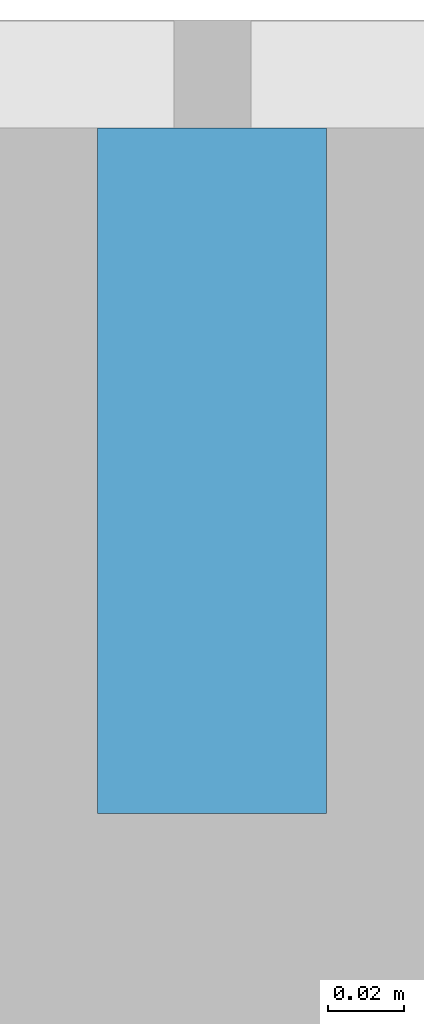
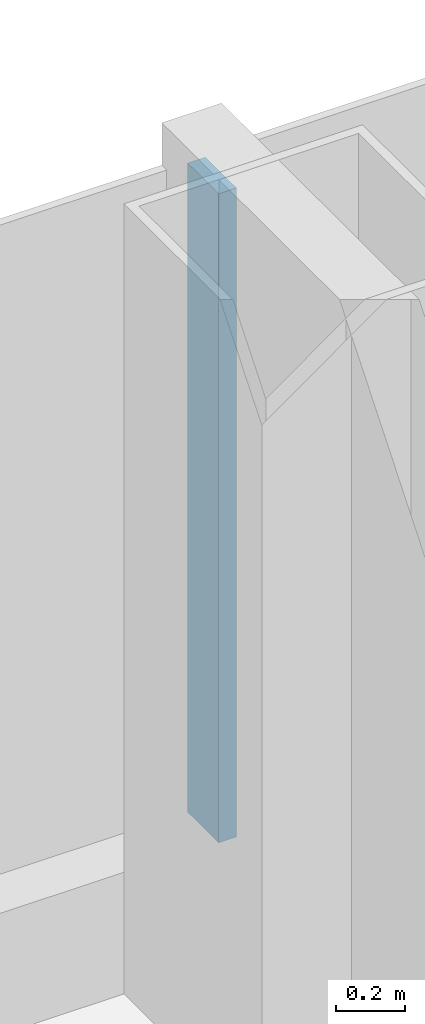
# One storey, part 10 of 29: 1 member, 1 element without a shape of its own.
"""IFC4 building model written with IfcOpenShell, lengths in metres."""

import ifcopenshell
import ifcopenshell.guid

model = None  # the IFC model being written
_history = None  # IfcOwnerHistory: only IFC2X3 demands one
_inside = {}  # id of a spatial element -> (the spatial element, [elements in it])
_under = {}  # id of a project, library or spatial element -> (it, [spatial elements below it])
_declared = {}  # id of a project -> (the project, [libraries it declares])
_typed = {}  # id of a type object -> (the type object, [elements of that type])
_made_of = {}  # id of a material, layer set ... -> (it, [elements and type objects made of it])


def new_model(schema):
    """Start an empty IFC model of exactly this schema.

    Asked for "IFC4X3", IfcOpenShell would pick the latest addendum, in which some entities
    have other attributes; the version numbers below select the first issue.
    IFC2X3 requires an IfcOwnerHistory on every rooted entity: one is made here for all.
    """
    global model, _history
    if schema == "IFC4X3":
        model = ifcopenshell.file(schema_version=(4, 3, 0, 0))
    else:
        model = ifcopenshell.file(schema=schema)
    _inside.clear()
    _under.clear()
    _declared.clear()
    _typed.clear()
    _made_of.clear()
    _history = None
    if model.schema == "IFC2X3":
        org = make("IfcOrganization", Name="unknown")
        user = make(
            "IfcPersonAndOrganization",
            ThePerson=make("IfcPerson", FamilyName="unknown"),
            TheOrganization=org,
        )
        app = make(
            "IfcApplication",
            ApplicationDeveloper=org,
            Version="unknown",
            ApplicationFullName="unknown",
            ApplicationIdentifier="unknown",
        )
        _history = make(
            "IfcOwnerHistory",
            OwningUser=user,
            OwningApplication=app,
            ChangeAction="ADDED",
            CreationDate=0,
        )
    return model


def make(cls, **values):
    """One entity of the class cls with the attributes given. An attribute that is None is left unset."""
    return model.create_entity(
        cls, **{name: value for name, value in values.items() if value is not None}
    )


def rooted(cls, **values):
    """An entity with a GlobalId (a new one), such as an element, a storey or a relation."""
    return make(cls, GlobalId=ifcopenshell.guid.new(), OwnerHistory=_history, **values)


def si_unit(unit_type, name, prefix=None):
    """IfcSIUnit, for example si_unit("LENGTHUNIT", "METRE", prefix="MILLI")."""
    return make("IfcSIUnit", UnitType=unit_type, Prefix=prefix, Name=name)


def assignment(units):
    """IfcUnitAssignment: the units of a project."""
    return None if units is None else make("IfcUnitAssignment", Units=units)


def point(xyz):
    """IfcCartesianPoint."""
    return None if xyz is None else make("IfcCartesianPoint", Coordinates=xyz)


def direction(xyz):
    """IfcDirection."""
    return None if xyz is None else make("IfcDirection", DirectionRatios=xyz)


def frame(location, z_axis=None, x_axis=None):
    """IfcAxis2Placement3D, a coordinate frame: its origin and axes. An axis left out is left unset."""
    return make(
        "IfcAxis2Placement3D",
        Location=point(location),
        Axis=direction(z_axis),
        RefDirection=direction(x_axis),
    )


def frame_2d(location, x_axis=None):
    """IfcAxis2Placement2D, a coordinate frame in the plane: its origin and x axis."""
    return make(
        "IfcAxis2Placement2D", Location=point(location), RefDirection=direction(x_axis)
    )


def origin():
    """The frame at (0, 0, 0) with its axes left unset."""
    return frame((0.0, 0.0, 0.0))


def origin_2d():
    """The frame at (0, 0) in the plane with its x axis left unset."""
    return frame_2d((0.0, 0.0))


def place(relative_to, where):
    """IfcLocalPlacement: puts the frame where relative to a parent placement (None: the world)."""
    return make(
        "IfcLocalPlacement", PlacementRelTo=relative_to, RelativePlacement=where
    )


def context(
    kind, dimensions, precision=None, world=None, true_north=None, identifier=None
):
    """IfcGeometricRepresentationContext, for example the 3D "Model" context."""
    return make(
        "IfcGeometricRepresentationContext",
        ContextIdentifier=identifier,
        ContextType=kind,
        CoordinateSpaceDimension=dimensions,
        Precision=precision,
        WorldCoordinateSystem=world,
        TrueNorth=true_north,
    )


def subcontext(parent, identifier, kind, view, scale=None):
    """IfcGeometricRepresentationSubContext, for example "Body" below "Model"."""
    return make(
        "IfcGeometricRepresentationSubContext",
        ContextIdentifier=identifier,
        ContextType=kind,
        ParentContext=parent,
        TargetScale=scale,
        TargetView=view,
    )


def project(units=None, contexts=None):
    """IfcProject with its units and contexts."""
    return rooted(
        "IfcProject",
        Name="project",
        RepresentationContexts=contexts,
        UnitsInContext=assignment(units),
    )


def spatial(cls, under=None, at=None, **own):
    """A site, building, storey or space (cls), placed at a placement, below another one or the project."""
    s = rooted(cls, ObjectPlacement=at, **own)
    if under is not None:
        _under.setdefault(under.id(), (under, []))[1].append(s)
    return s


def profile(cls, at=None, kind="AREA", **sizes):
    """A parametric profile (cls). Its sizes go by their IFC names, for example OverallWidth=200.0."""
    return make(cls, ProfileType=kind, Position=at, **sizes)


def rectangle(**sizes):
    """IfcRectangleProfileDef."""
    return profile("IfcRectangleProfileDef", **sizes)


def extrude(swept, where, along, depth):
    """IfcExtrudedAreaSolid: the profile swept, set in the frame where, extruded along a direction by depth."""
    return make(
        "IfcExtrudedAreaSolid",
        SweptArea=swept,
        Position=where,
        ExtrudedDirection=direction(along),
        Depth=depth,
    )


def shape(context_of_items, identifier, shape_type, items):
    """IfcShapeRepresentation: the items that make up one representation, for example the "Body"."""
    return make(
        "IfcShapeRepresentation",
        ContextOfItems=context_of_items,
        RepresentationIdentifier=identifier,
        RepresentationType=shape_type,
        Items=items,
    )


def material(Name=None, Category=None):
    """IfcMaterial."""
    return make("IfcMaterial", Name=Name, Category=Category)


def layer(
    of_material, thickness, ventilated=None, Name=None, Category=None, Priority=None
):
    """IfcMaterialLayer: one layer of a wall or slab, of a material (None: an air gap)."""
    return make(
        "IfcMaterialLayer",
        Material=of_material,
        LayerThickness=thickness,
        IsVentilated=ventilated,
        Name=Name,
        Category=Category,
        Priority=Priority,
    )


def layer_set(layers, Name=None):
    """IfcMaterialLayerSet."""
    return make("IfcMaterialLayerSet", MaterialLayers=layers, LayerSetName=Name)


def material_profile(
    of_material, cross_section, Name=None, Category=None, Priority=None
):
    """IfcMaterialProfile: a cross section and its material."""
    return make(
        "IfcMaterialProfile",
        Name=Name,
        Material=of_material,
        Profile=cross_section,
        Priority=Priority,
        Category=Category,
    )


def profile_set(profiles, Name=None, composite=None):
    """IfcMaterialProfileSet."""
    return make(
        "IfcMaterialProfileSet",
        Name=Name,
        MaterialProfiles=profiles,
        CompositeProfile=composite,
    )


def made_of(thing, what):
    """Note that an element or type object is made of a material, layer set ...; save() writes the relation."""
    if what is not None:
        _made_of.setdefault(what.id(), (what, []))[1].append(thing)
    return thing


def type_object(cls, material=None, **own):
    """A type object (cls), such as IfcWallType, which elements share."""
    return made_of(rooted(cls, **own), material)


def element(
    cls,
    number,
    at=None,
    inside=None,
    cuts=None,
    type_object=None,
    material=None,
    context=None,
    identifier="Body",
    shape_type=None,
    held_by="IfcProductDefinitionShape",
    body=None,
    shapes=None,
    **own,
):
    """One element of the class cls, such as IfcWall. Its Tag is "e" and its number.

    at: its placement. inside: the storey or other place that contains it. cuts: it is an
    opening in that element (IfcRelVoidsElement). A single representation is given by context,
    identifier, shape_type and body (its items); several are given by shapes. held_by: the class
    of the entity that holds the representations. save() writes the other relations.
    """
    e = rooted(cls, Tag="e%d" % number, ObjectPlacement=at, **own)
    if body is not None:
        shapes = [shape(context, identifier, shape_type, body)]
    if shapes is not None:
        e.Representation = make(held_by, Representations=shapes)
    if inside is not None:
        _inside.setdefault(inside.id(), (inside, []))[1].append(e)
    if cuts is not None:
        rooted(
            "IfcRelVoidsElement", RelatingBuildingElement=cuts, RelatedOpeningElement=e
        )
    if type_object is not None:
        _typed.setdefault(type_object.id(), (type_object, []))[1].append(e)
    return made_of(e, material)


def aggregate(whole, parts):
    """IfcRelAggregates: a whole, such as a stair, and the parts it consists of."""
    return rooted("IfcRelAggregates", RelatingObject=whole, RelatedObjects=parts)


def save(model, path):
    """Write the relations noted so far, then the file.

    IfcRelAggregates (storeys below a building ...), IfcRelContainedInSpatialStructure (elements
    in a storey), IfcRelDefinesByType, IfcRelAssociatesMaterial and IfcRelDeclares: one each for
    every whole, place, type object, material and project.
    """
    for whole, parts in _under.values():
        aggregate(whole, parts)
    for where, things in _inside.values():
        rooted(
            "IfcRelContainedInSpatialStructure",
            RelatedElements=things,
            RelatingStructure=where,
        )
    for kind, things in _typed.values():
        rooted("IfcRelDefinesByType", RelatedObjects=things, RelatingType=kind)
    for what, things in _made_of.values():
        rooted("IfcRelAssociatesMaterial", RelatedObjects=things, RelatingMaterial=what)
    for by, libraries in _declared.values():
        rooted("IfcRelDeclares", RelatingContext=by, RelatedDefinitions=libraries)
    model.write(path)


model = new_model("IFC4")

# Units and contexts
model_context = context("Model", 3, precision=1e-05, world=origin(), true_north=direction((0.0, 1.0)))
body_context = subcontext(model_context, "Body", "Model", "MODEL_VIEW")
ifc_project = project(units=[si_unit("LENGTHUNIT", "METRE"), si_unit("AREAUNIT", "SQUARE_METRE"), si_unit("VOLUMEUNIT", "CUBIC_METRE"), si_unit("PLANEANGLEUNIT", "RADIAN"), si_unit("MASSUNIT", "GRAM", prefix="KILO")], contexts=[model_context])

# Site, building, storey
site_placement = place(None, origin())
site = spatial("IfcSite", under=ifc_project, at=site_placement, CompositionType="ELEMENT")
building_placement = place(site_placement, origin())
building = spatial("IfcBuilding", under=site, at=building_placement, Name="Hakoniwa Tower and Hamabe Station Hall", CompositionType="ELEMENT")
storey_placement = place(building_placement, frame((0.0, 0.0, 75.39990234375)))
storey = spatial("IfcBuildingStorey", under=building, at=storey_placement, Name="L20", CompositionType="ELEMENT", Elevation=75.39990234375)

# Curtain wall, member
ifc_material_1 = material(Name="Dark low-e laminated glass", Category="glass")
ifc_layer = layer(ifc_material_1, 0.199951171875)
ifc_layer_set = layer_set([ifc_layer], Name="CW-1 UNITISED GUEST")
curtain_wall_type = type_object("IfcCurtainWallType", Name="CW-1 UNITISED GUEST", PredefinedType="NOTDEFINED", material=ifc_layer_set)
curtain_wall_placement = place(storey_placement, origin())
curtain_wall = element("IfcCurtainWall", 1, at=curtain_wall_placement, inside=storey, type_object=curtain_wall_type, Name="CW-1 curtain wall", PredefinedType="NOTDEFINED")
ifc_material_2 = material(Name="Aluminium 6063-T5 black anodised", Category="aluminium")
ifc_material_profile = material_profile(ifc_material_2, rectangle(XDim=0.06005859375, YDim=0.179931640625, at=origin_2d()), Name="CW-1 MULLION 60X180")
ifc_profile_set = profile_set([ifc_material_profile], Name="Aluminium 6063-T5 black anodised")
member_type = type_object("IfcMemberType", Name="CW-1 MULLION 60X180", PredefinedType="MULLION", material=ifc_profile_set)
member_placement = place(storey_placement, frame((8.39990234375, 23.431884765625, 0.35009765625), z_axis=(0.0, 0.0, 1.0), x_axis=(-1.0, 0.0, 0.0)))
member = element("IfcMember", 2, at=member_placement, type_object=member_type, Name="CW-1 mullion", PredefinedType="MULLION", context=body_context, shape_type="SweptSolid", body=[
    extrude(rectangle(XDim=0.06005859375, YDim=0.179931640625, at=origin_2d()), origin(), (0.0, 0.0, 1.0), 2.300048828125),
])
aggregate(curtain_wall, [member])

save(model, "model.ifc")
